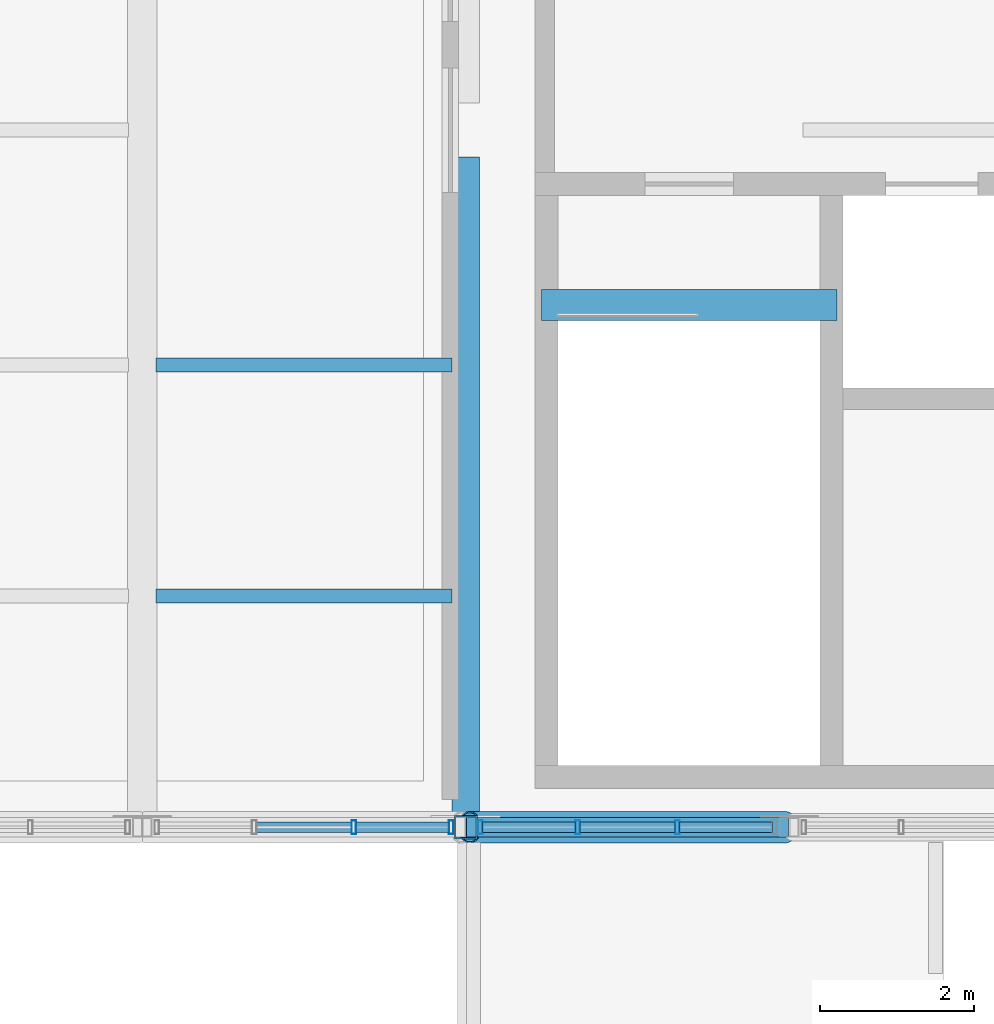
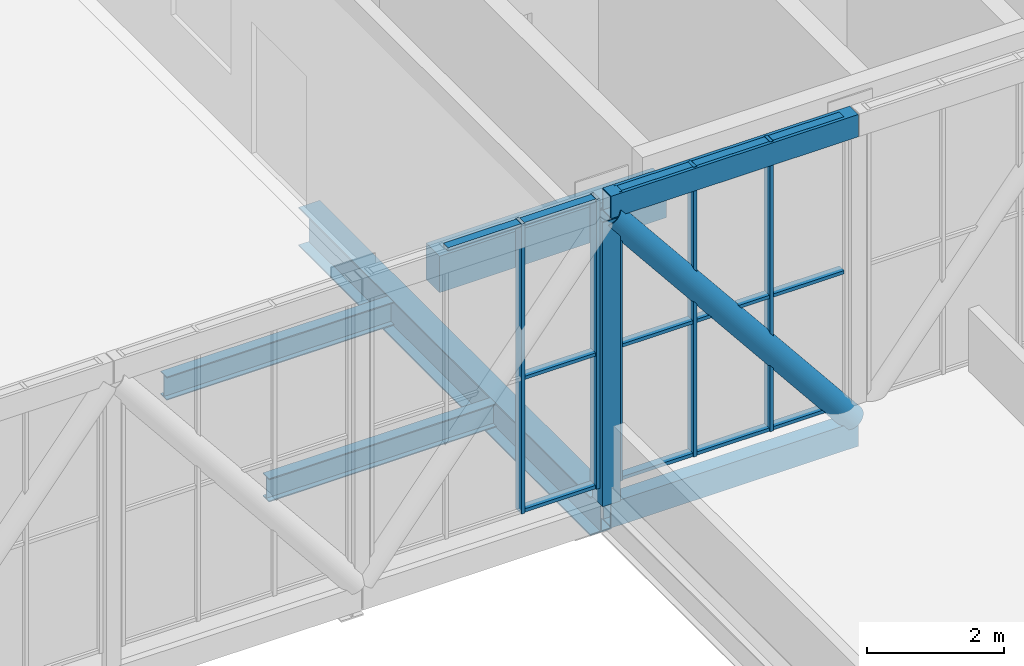
# One storey, part 3 of 58: 22 members, 4 beams, 2 elements without a shape of their own.
"""IFC4 building model written with IfcOpenShell, lengths in metres."""

from ifc_helpers import new_model, si_unit, direction, frame, origin, origin_2d, place, context, subcontext, project, spatial, rectangle, hollow_rectangle, hollow_circle, i_section, extrude, material, material_profile, profile_set, type_object, element, aggregate, save


model = new_model("IFC4")

# Units and contexts
model_context = context("Model", 3, precision=1e-05, world=origin(), true_north=direction((0.0, 1.0)))
body_context = subcontext(model_context, "Body", "Model", "MODEL_VIEW")
ifc_project = project(units=[si_unit("LENGTHUNIT", "METRE"), si_unit("AREAUNIT", "SQUARE_METRE"), si_unit("VOLUMEUNIT", "CUBIC_METRE"), si_unit("PLANEANGLEUNIT", "RADIAN"), si_unit("MASSUNIT", "GRAM", prefix="KILO")], contexts=[model_context])

# Site, building, storey
site_placement = place(None, origin())
site = spatial("IfcSite", under=ifc_project, at=site_placement, CompositionType="ELEMENT")
building_placement = place(site_placement, origin())
building = spatial("IfcBuilding", under=site, at=building_placement, Name="Khurvash Pelagic Aquarium", CompositionType="ELEMENT")
storey_placement = place(building_placement, frame((0.0, 0.0, 24.60009765625)))
storey = spatial("IfcBuildingStorey", under=building, at=storey_placement, Name="L05", CompositionType="ELEMENT", Elevation=24.60009765625)

# Beams
ifc_material_1 = material(Name="Concrete C35/45", Category="concrete")
ifc_material_profile_1 = material_profile(ifc_material_1, rectangle(XDim=0.39990234375, YDim=0.64990234375, at=origin_2d()), Name="RC400X650")
ifc_profile_set_1 = profile_set([ifc_material_profile_1], Name="Concrete C35/45")
beam_type_1 = type_object("IfcBeamType", Name="BM-05", PredefinedType="BEAM", material=ifc_profile_set_1)
beam_1_placement = place(storey_placement, frame((26.179931640625, 18.429931640625, -0.625), z_axis=(1.0, 0.0, 0.0), x_axis=(0.0, 1.0, 0.0)))
element("IfcBeam", 1, at=beam_1_placement, inside=storey, type_object=beam_type_1, Name="L05 Stair ST-01 Header Trimmer Beam BM-05", PredefinedType="BEAM", context=body_context, shape_type="SweptSolid", body=[
    extrude(rectangle(XDim=0.39990234375, YDim=0.64990234375, at=origin_2d()), origin(), (0.0, 0.0, 1.0), 3.840087890625),
])
ifc_material_2 = material(Name="Steel ASTM A992 Grade 50", Category="steel")
ifc_material_profile_2 = material_profile(ifc_material_2, i_section(OverallWidth=0.35595703125, OverallDepth=0.696044921875, WebThickness=0.015380859375, FlangeThickness=0.02490234375, at=origin_2d()), Name="W27X146")
ifc_profile_set_2 = profile_set([ifc_material_profile_2], Name="Steel ASTM A992 Grade 50")
beam_type_2 = type_object("IfcBeamType", Name="BM-09", PredefinedType="BEAM", material=ifc_profile_set_2)
beam_2_placement = place(storey_placement, frame((25.199951171875, 11.81005859375, -0.648193359375), z_axis=(0.0, 1.0, 0.0), x_axis=(-1.0, 0.0, 0.0)))
element("IfcBeam", 2, at=beam_2_placement, inside=storey, type_object=beam_type_2, Name="L05 Sky-Bar Transverse Floor Girder BM-09 N04", PredefinedType="BEAM", context=body_context, shape_type="SweptSolid", body=[
    extrude(i_section(OverallWidth=0.35595703125, OverallDepth=0.696044921875, WebThickness=0.015380859375, FlangeThickness=0.02490234375, at=origin_2d()), origin(), (0.0, 0.0, 1.0), 8.5400390625),
])

# Curtain wall, members
ifc_material_3 = material(Name="Anodised aluminium and low-E laminated glass", Category="aluminium")
curtain_wall_type = type_object("IfcCurtainWallType", Name="CW-01", PredefinedType="USERDEFINED", material=ifc_material_3)
curtain_wall_1_placement = place(storey_placement, origin())
curtain_wall_1 = element("IfcCurtainWall", 3, at=curtain_wall_1_placement, inside=storey, type_object=curtain_wall_type, Name="L05 South Sky-Bar Unitised Curtain Wall CW-01 P03", ObjectType="UNITISED CURTAIN WALL", PredefinedType="USERDEFINED")
ifc_material_4 = material(Name="Extruded aluminium AW-6063-T6", Category="aluminium")
ifc_material_profile_3 = material_profile(ifc_material_4, hollow_rectangle(XDim=0.06005859375, YDim=0.179931640625, WallThickness=0.00390625, at=origin_2d()), Name="CWM60X180X4")
ifc_profile_set_3 = profile_set([ifc_material_profile_3], Name="Extruded aluminium AW-6063-T6")
member_type_1 = type_object("IfcMemberType", Name="CM-01", PredefinedType="MULLION", material=ifc_profile_set_3)
member_1_placement = place(storey_placement, frame((23.74658203125, 11.64990234375, 0.0), z_axis=(0.0, 0.0, 1.0), x_axis=(1.0, 0.0, 0.0)))
member_1 = element("IfcMember", 4, at=member_1_placement, type_object=member_type_1, Name="CW-01 mullion 3", PredefinedType="MULLION", context=body_context, shape_type="SweptSolid", body=[
    extrude(hollow_rectangle(XDim=0.06005859375, YDim=0.179931640625, WallThickness=0.00390625, at=origin_2d()), origin(), (0.0, 0.0, 1.0), 5.179931640625),
])
member_2_placement = place(storey_placement, frame((25.010009765625, 11.64990234375, 0.0), z_axis=(0.0, 0.0, 1.0), x_axis=(1.0, 0.0, 0.0)))
member_2 = element("IfcMember", 5, at=member_2_placement, type_object=member_type_1, Name="CW-01 mullion 4", PredefinedType="MULLION", context=body_context, shape_type="SweptSolid", body=[
    extrude(hollow_rectangle(XDim=0.06005859375, YDim=0.179931640625, WallThickness=0.00390625, at=origin_2d()), origin(), (0.0, 0.0, 1.0), 5.179931640625),
])

curtain_wall_2_placement = place(storey_placement, origin())
curtain_wall_2 = element("IfcCurtainWall", 6, at=curtain_wall_2_placement, inside=storey, type_object=curtain_wall_type, Name="L05 South Sky-Bar Unitised Curtain Wall CW-01 P04", ObjectType="UNITISED CURTAIN WALL", PredefinedType="USERDEFINED")
member_3_placement = place(storey_placement, frame((25.389892578125, 11.64990234375, 0.0), z_axis=(0.0, 0.0, 1.0), x_axis=(1.0, 0.0, 0.0)))
member_3 = element("IfcMember", 7, at=member_3_placement, type_object=member_type_1, Name="CW-01 mullion 1", PredefinedType="MULLION", context=body_context, shape_type="SweptSolid", body=[
    extrude(hollow_rectangle(XDim=0.06005859375, YDim=0.179931640625, WallThickness=0.00390625, at=origin_2d()), origin(), (0.0, 0.0, 1.0), 5.179931640625),
])
member_4_placement = place(storey_placement, frame((26.6533203125, 11.64990234375, 0.0), z_axis=(0.0, 0.0, 1.0), x_axis=(1.0, 0.0, 0.0)))
member_4 = element("IfcMember", 8, at=member_4_placement, type_object=member_type_1, Name="CW-01 mullion 2", PredefinedType="MULLION", context=body_context, shape_type="SweptSolid", body=[
    extrude(hollow_rectangle(XDim=0.06005859375, YDim=0.179931640625, WallThickness=0.00390625, at=origin_2d()), origin(), (0.0, 0.0, 1.0), 5.179931640625),
])
member_5_placement = place(storey_placement, frame((27.94677734375, 11.64990234375, 0.0), z_axis=(0.0, 0.0, 1.0), x_axis=(1.0, 0.0, 0.0)))
member_5 = element("IfcMember", 9, at=member_5_placement, type_object=member_type_1, Name="CW-01 mullion 3", PredefinedType="MULLION", context=body_context, shape_type="SweptSolid", body=[
    extrude(hollow_rectangle(XDim=0.06005859375, YDim=0.179931640625, WallThickness=0.00390625, at=origin_2d()), origin(), (0.0, 0.0, 1.0), 5.179931640625),
])

# Member
ifc_material_profile_4 = material_profile(ifc_material_4, hollow_rectangle(XDim=0.139892578125, YDim=0.06005859375, WallThickness=0.00390625, at=origin_2d()), Name="CWT140X60X4")
ifc_profile_set_4 = profile_set([ifc_material_profile_4], Name="Extruded aluminium AW-6063-T6")
member_type_2 = type_object("IfcMemberType", Name="CT-01", PredefinedType="USERDEFINED", material=ifc_profile_set_4)
member_6_placement = place(storey_placement, frame((22.4833984375, 11.64990234375, 5.14990234375), z_axis=(1.0, 0.0, 0.0), x_axis=(0.0, 1.0, 0.0)))
member_6 = element("IfcMember", 10, at=member_6_placement, type_object=member_type_2, Name="CW-01 transom 2.3", ObjectType="TRANSOM", PredefinedType="USERDEFINED", context=body_context, shape_type="SweptSolid", body=[
    extrude(hollow_rectangle(XDim=0.139892578125, YDim=0.06005859375, WallThickness=0.00390625, at=origin_2d()), origin(), (0.0, 0.0, 1.0), 1.233154296875),
])

member_7_placement = place(storey_placement, frame((23.776611328125, 11.64990234375, 0.02978515625), z_axis=(1.0, 0.0, 0.0), x_axis=(0.0, 1.0, 0.0)))
member_7 = element("IfcMember", 11, at=member_7_placement, type_object=member_type_2, Name="CW-01 transom 3.1", ObjectType="TRANSOM", PredefinedType="USERDEFINED", context=body_context, shape_type="SweptSolid", body=[
    extrude(hollow_rectangle(XDim=0.139892578125, YDim=0.06005859375, WallThickness=0.00390625, at=origin_2d()), origin(), (0.0, 0.0, 1.0), 1.203369140625),
])

member_8_placement = place(storey_placement, frame((23.776611328125, 11.64990234375, 2.39990234375), z_axis=(1.0, 0.0, 0.0), x_axis=(0.0, 1.0, 0.0)))
member_8 = element("IfcMember", 12, at=member_8_placement, type_object=member_type_2, Name="CW-01 transom 3.2", ObjectType="TRANSOM", PredefinedType="USERDEFINED", context=body_context, shape_type="SweptSolid", body=[
    extrude(hollow_rectangle(XDim=0.139892578125, YDim=0.06005859375, WallThickness=0.00390625, at=origin_2d()), origin(), (0.0, 0.0, 1.0), 1.203369140625),
])

member_9_placement = place(storey_placement, frame((23.776611328125, 11.64990234375, 5.14990234375), z_axis=(1.0, 0.0, 0.0), x_axis=(0.0, 1.0, 0.0)))
member_9 = element("IfcMember", 13, at=member_9_placement, type_object=member_type_2, Name="CW-01 transom 3.3", ObjectType="TRANSOM", PredefinedType="USERDEFINED", context=body_context, shape_type="SweptSolid", body=[
    extrude(hollow_rectangle(XDim=0.139892578125, YDim=0.06005859375, WallThickness=0.00390625, at=origin_2d()), origin(), (0.0, 0.0, 1.0), 1.203369140625),
])

aggregate(curtain_wall_1, [member_1, member_2, member_6, member_7, member_8, member_9])

member_10_placement = place(storey_placement, frame((25.419921875, 11.64990234375, 0.02978515625), z_axis=(1.0, 0.0, 0.0), x_axis=(0.0, 1.0, 0.0)))
member_10 = element("IfcMember", 14, at=member_10_placement, type_object=member_type_2, Name="CW-01 transom 1.1", ObjectType="TRANSOM", PredefinedType="USERDEFINED", context=body_context, shape_type="SweptSolid", body=[
    extrude(hollow_rectangle(XDim=0.139892578125, YDim=0.06005859375, WallThickness=0.00390625, at=origin_2d()), origin(), (0.0, 0.0, 1.0), 1.203369140625),
])

member_11_placement = place(storey_placement, frame((25.419921875, 11.64990234375, 2.39990234375), z_axis=(1.0, 0.0, 0.0), x_axis=(0.0, 1.0, 0.0)))
member_11 = element("IfcMember", 15, at=member_11_placement, type_object=member_type_2, Name="CW-01 transom 1.2", ObjectType="TRANSOM", PredefinedType="USERDEFINED", context=body_context, shape_type="SweptSolid", body=[
    extrude(hollow_rectangle(XDim=0.139892578125, YDim=0.06005859375, WallThickness=0.00390625, at=origin_2d()), origin(), (0.0, 0.0, 1.0), 1.203369140625),
])

member_12_placement = place(storey_placement, frame((25.419921875, 11.64990234375, 5.14990234375), z_axis=(1.0, 0.0, 0.0), x_axis=(0.0, 1.0, 0.0)))
member_12 = element("IfcMember", 16, at=member_12_placement, type_object=member_type_2, Name="CW-01 transom 1.3", ObjectType="TRANSOM", PredefinedType="USERDEFINED", context=body_context, shape_type="SweptSolid", body=[
    extrude(hollow_rectangle(XDim=0.139892578125, YDim=0.06005859375, WallThickness=0.00390625, at=origin_2d()), origin(), (0.0, 0.0, 1.0), 1.203369140625),
])

member_13_placement = place(storey_placement, frame((26.683349609375, 11.64990234375, 0.02978515625), z_axis=(1.0, 0.0, 0.0), x_axis=(0.0, 1.0, 0.0)))
member_13 = element("IfcMember", 17, at=member_13_placement, type_object=member_type_2, Name="CW-01 transom 2.1", ObjectType="TRANSOM", PredefinedType="USERDEFINED", context=body_context, shape_type="SweptSolid", body=[
    extrude(hollow_rectangle(XDim=0.139892578125, YDim=0.06005859375, WallThickness=0.00390625, at=origin_2d()), origin(), (0.0, 0.0, 1.0), 1.2333984375),
])

member_14_placement = place(storey_placement, frame((26.683349609375, 11.64990234375, 2.39990234375), z_axis=(1.0, 0.0, 0.0), x_axis=(0.0, 1.0, 0.0)))
member_14 = element("IfcMember", 18, at=member_14_placement, type_object=member_type_2, Name="CW-01 transom 2.2", ObjectType="TRANSOM", PredefinedType="USERDEFINED", context=body_context, shape_type="SweptSolid", body=[
    extrude(hollow_rectangle(XDim=0.139892578125, YDim=0.06005859375, WallThickness=0.00390625, at=origin_2d()), origin(), (0.0, 0.0, 1.0), 1.2333984375),
])

member_15_placement = place(storey_placement, frame((26.683349609375, 11.64990234375, 5.14990234375), z_axis=(1.0, 0.0, 0.0), x_axis=(0.0, 1.0, 0.0)))
member_15 = element("IfcMember", 19, at=member_15_placement, type_object=member_type_2, Name="CW-01 transom 2.3", ObjectType="TRANSOM", PredefinedType="USERDEFINED", context=body_context, shape_type="SweptSolid", body=[
    extrude(hollow_rectangle(XDim=0.139892578125, YDim=0.06005859375, WallThickness=0.00390625, at=origin_2d()), origin(), (0.0, 0.0, 1.0), 1.2333984375),
])

member_16_placement = place(storey_placement, frame((27.9765625, 11.64990234375, 0.02978515625), z_axis=(1.0, 0.0, 0.0), x_axis=(0.0, 1.0, 0.0)))
member_16 = element("IfcMember", 20, at=member_16_placement, type_object=member_type_2, Name="CW-01 transom 3.1", ObjectType="TRANSOM", PredefinedType="USERDEFINED", context=body_context, shape_type="SweptSolid", body=[
    extrude(hollow_rectangle(XDim=0.139892578125, YDim=0.06005859375, WallThickness=0.00390625, at=origin_2d()), origin(), (0.0, 0.0, 1.0), 1.203369140625),
])

member_17_placement = place(storey_placement, frame((27.9765625, 11.64990234375, 2.39990234375), z_axis=(1.0, 0.0, 0.0), x_axis=(0.0, 1.0, 0.0)))
member_17 = element("IfcMember", 21, at=member_17_placement, type_object=member_type_2, Name="CW-01 transom 3.2", ObjectType="TRANSOM", PredefinedType="USERDEFINED", context=body_context, shape_type="SweptSolid", body=[
    extrude(hollow_rectangle(XDim=0.139892578125, YDim=0.06005859375, WallThickness=0.00390625, at=origin_2d()), origin(), (0.0, 0.0, 1.0), 1.203369140625),
])

member_18_placement = place(storey_placement, frame((27.9765625, 11.64990234375, 5.14990234375), z_axis=(1.0, 0.0, 0.0), x_axis=(0.0, 1.0, 0.0)))
member_18 = element("IfcMember", 22, at=member_18_placement, type_object=member_type_2, Name="CW-01 transom 3.3", ObjectType="TRANSOM", PredefinedType="USERDEFINED", context=body_context, shape_type="SweptSolid", body=[
    extrude(hollow_rectangle(XDim=0.139892578125, YDim=0.06005859375, WallThickness=0.00390625, at=origin_2d()), origin(), (0.0, 0.0, 1.0), 1.203369140625),
])

aggregate(curtain_wall_2, [member_3, member_4, member_5, member_10, member_11, member_12, member_13, member_14, member_15, member_16, member_17, member_18])

# Beams
ifc_material_profile_5 = material_profile(ifc_material_2, i_section(OverallWidth=0.180908203125, OverallDepth=0.4169921875, WebThickness=0.010986328125, FlangeThickness=0.018310546875, at=origin_2d()), Name="W16X57")
ifc_profile_set_5 = profile_set([ifc_material_profile_5], Name="Steel ASTM A992 Grade 50")
beam_type_3 = type_object("IfcBeamType", Name="JS-03", PredefinedType="JOIST", material=ifc_profile_set_5)
for number, where, z_axis, x_axis, name in (
    (23, (21.179931640625, 14.64990234375, -0.508544921875), (1.0, 0.0, 0.0), (0.0, 1.0, 0.0), "L05 Sky-Bar Floor Joist JS-03 P03"),
    (24, (21.179931640625, 17.64990234375, -0.508544921875), (1.0, 0.0, 0.0), (0.0, 1.0, 0.0), "L05 Sky-Bar Floor Joist JS-03 P03"),
):
    element("IfcBeam", number, at=place(storey_placement, frame(where, z_axis=z_axis, x_axis=x_axis)), inside=storey, type_object=beam_type_3, Name=name, PredefinedType="JOIST", context=body_context, shape_type="SweptSolid", body=[
        extrude(i_section(OverallWidth=0.180908203125, OverallDepth=0.4169921875, WebThickness=0.010986328125, FlangeThickness=0.018310546875, at=origin_2d()), origin(), (0.0, 0.0, 1.0), 3.840087890625),
    ])

# Members
ifc_material_5 = material(Name="Steel S355J2", Category="steel")
ifc_material_profile_6 = material_profile(ifc_material_5, hollow_rectangle(XDim=0.25, YDim=0.449951171875, WallThickness=0.02001953125, at=origin_2d()), Name="RHS450X250X20")
ifc_profile_set_6 = profile_set([ifc_material_profile_6], Name="Steel S355J2")
member_type_3 = type_object("IfcMemberType", Name="TC-01", PredefinedType="CHORD", material=ifc_profile_set_6)
member_19_placement = place(storey_placement, frame((25.2099609375, 11.64990234375, -0.525146484375), z_axis=(1.0, 0.0, 0.0), x_axis=(0.0, 1.0, 0.0)))
element("IfcMember", 25, at=member_19_placement, inside=storey, type_object=member_type_3, Name="L05 South Sky-Bar Warren Truss Bottom Chord TC-01 P04", PredefinedType="CHORD", context=body_context, shape_type="SweptSolid", body=[
    extrude(hollow_rectangle(XDim=0.25, YDim=0.449951171875, WallThickness=0.02001953125, at=origin_2d()), origin(), (0.0, 0.0, 1.0), 4.179931640625),
])
ifc_material_profile_7 = material_profile(ifc_material_5, hollow_rectangle(XDim=0.25, YDim=0.39990234375, WallThickness=0.01611328125, at=origin_2d()), Name="RHS400X250X16")
ifc_profile_set_7 = profile_set([ifc_material_profile_7], Name="Steel S355J2")
member_type_4 = type_object("IfcMemberType", Name="TC-02", PredefinedType="CHORD", material=ifc_profile_set_7)
member_20_placement = place(storey_placement, frame((25.2099609375, 11.64990234375, 4.97998046875), z_axis=(1.0, 0.0, 0.0), x_axis=(0.0, 1.0, 0.0)))
element("IfcMember", 26, at=member_20_placement, inside=storey, type_object=member_type_4, Name="L05 South Sky-Bar Warren Truss Top Chord TC-02 P04", PredefinedType="CHORD", context=body_context, shape_type="SweptSolid", body=[
    extrude(hollow_rectangle(XDim=0.25, YDim=0.39990234375, WallThickness=0.01611328125, at=origin_2d()), origin(), (0.0, 0.0, 1.0), 4.179931640625),
])
ifc_material_profile_8 = material_profile(ifc_material_5, hollow_circle(Radius=0.203125, WallThickness=0.01611328125, at=origin_2d()), Name="CHS406X16")
ifc_profile_set_8 = profile_set([ifc_material_profile_8], Name="Steel S355J2")
member_type_5 = type_object("IfcMemberType", Name="TD-01", PredefinedType="BRACE", material=ifc_profile_set_8)
member_21_placement = place(storey_placement, frame((25.25, 11.64990234375, 4.77978515625), z_axis=(0.628073304864, 0.0, -0.778154177343), x_axis=(0.0, 1.0, 0.0)))
element("IfcMember", 27, at=member_21_placement, inside=storey, type_object=member_type_5, Name="L05 South Sky-Bar Warren Truss Diagonal TD-01 P04", PredefinedType="BRACE", context=body_context, shape_type="SweptSolid", body=[
    extrude(hollow_circle(Radius=0.203125, WallThickness=0.01611328125, at=origin_2d()), origin(), (0.0, 0.0, 1.0), 6.528076171875),
])
ifc_material_profile_9 = material_profile(ifc_material_5, hollow_rectangle(XDim=0.300048828125, YDim=0.300048828125, WallThickness=0.01611328125, at=origin_2d()), Name="SHS300X300X16")
ifc_profile_set_9 = profile_set([ifc_material_profile_9], Name="Steel S355J2")
member_type_6 = type_object("IfcMemberType", Name="TV-01", PredefinedType="POST", material=ifc_profile_set_9)
member_22_placement = place(storey_placement, frame((25.199951171875, 11.64990234375, -0.300048828125), z_axis=(0.0, 0.0, 1.0), x_axis=(1.0, 0.0, 0.0)))
element("IfcMember", 28, at=member_22_placement, inside=storey, type_object=member_type_6, Name="L05 South Sky-Bar Truss Post TV-01 N04", PredefinedType="POST", context=body_context, shape_type="SweptSolid", body=[
    extrude(hollow_rectangle(XDim=0.300048828125, YDim=0.300048828125, WallThickness=0.01611328125, at=origin_2d()), origin(), (0.0, 0.0, 1.0), 5.079833984375),
])

save(model, "model.ifc")
